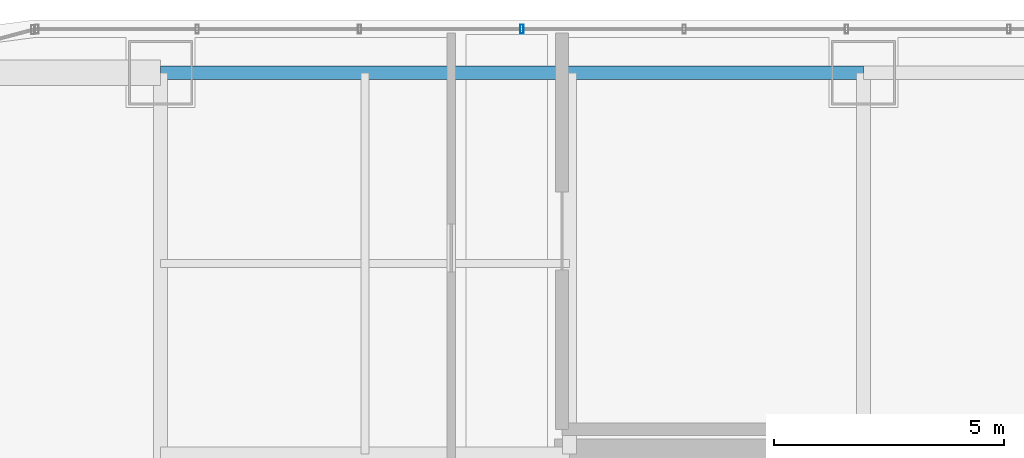
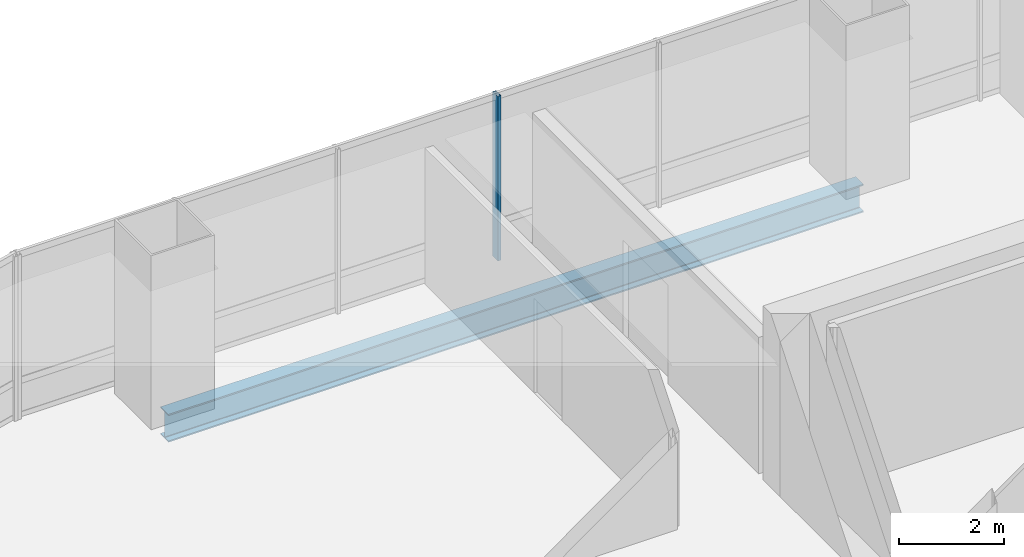
# One storey, part 21 of 36: 1 beam, 1 member, 1 element without a shape of its own.
"""IFC4 building model written with IfcOpenShell, lengths in metres."""

from ifc_helpers import new_model, si_unit, direction, frame, origin, origin_2d, place, context, subcontext, project, spatial, hollow_rectangle, i_section, extrude, material, material_profile, profile_set, type_object, element, aggregate, save


model = new_model("IFC4")

# Units and contexts
model_context = context("Model", 3, precision=1e-05, world=origin(), true_north=direction((0.0, 1.0)))
body_context = subcontext(model_context, "Body", "Model", "MODEL_VIEW")
ifc_project = project(units=[si_unit("LENGTHUNIT", "METRE"), si_unit("AREAUNIT", "SQUARE_METRE"), si_unit("VOLUMEUNIT", "CUBIC_METRE"), si_unit("PLANEANGLEUNIT", "RADIAN"), si_unit("MASSUNIT", "GRAM", prefix="KILO")], contexts=[model_context])

# Site, building, storey
site_placement = place(None, origin())
site = spatial("IfcSite", under=ifc_project, at=site_placement, CompositionType="ELEMENT")
building_placement = place(site_placement, origin())
building = spatial("IfcBuilding", under=site, at=building_placement, Name="Punatoya Terracotta Tower", CompositionType="ELEMENT")
storey_placement = place(building_placement, frame((0.0, 0.0, 176.25)))
storey = spatial("IfcBuildingStorey", under=building, at=storey_placement, Name="L41", CompositionType="ELEMENT", Elevation=176.25)

# Beam
ifc_material_1 = material(Name="Steel S355", Category="steel")
ifc_material_profile_1 = material_profile(ifc_material_1, i_section(OverallWidth=0.300048828125, OverallDepth=0.64990234375, WebThickness=0.01611328125, FlangeThickness=0.031005859375, FilletRadius=0.01806640625, at=origin_2d()))
ifc_profile_set_1 = profile_set([ifc_material_profile_1], Name="Steel S355")
beam_type = type_object("IfcBeamType", Name="BM-PRI-650", PredefinedType="BEAM", material=ifc_profile_set_1)
beam_placement = place(storey_placement, frame((-19.10009765625, 17.5, -0.544921875), z_axis=(1.0, 0.0, 0.0), x_axis=(0.0, 1.0, 0.0)))
element("IfcBeam", 1, at=beam_placement, inside=storey, type_object=beam_type, Name="BM-L41-RG-N1", PredefinedType="BEAM", context=body_context, shape_type="SweptSolid", body=[
    extrude(i_section(OverallWidth=0.300048828125, OverallDepth=0.64990234375, WebThickness=0.01611328125, FlangeThickness=0.031005859375, FilletRadius=0.01806640625, at=origin_2d()), origin(), (0.0, 0.0, 1.0), 15.300048828125),
])

# Curtain wall, member
ifc_material_2 = material(Name="Aluminium 6063-T6 + Double Low-E Glass", Category="aluminium")
curtain_wall_type = type_object("IfcCurtainWallType", Name="CW-M2", PredefinedType="NOTDEFINED", material=ifc_material_2)
curtain_wall_placement = place(storey_placement, origin())
curtain_wall = element("IfcCurtainWall", 2, at=curtain_wall_placement, inside=storey, type_object=curtain_wall_type, Name="L41 Curtain Wall CW-L41-N09-1", PredefinedType="NOTDEFINED")
ifc_material_3 = material(Name="Aluminium 6063-T6", Category="aluminium")
ifc_material_profile_2 = material_profile(ifc_material_3, hollow_rectangle(XDim=0.072021484375, YDim=0.195068359375, WallThickness=0.00439453125, at=origin_2d()))
ifc_profile_set_2 = profile_set([ifc_material_profile_2], Name="Aluminium 6063-T6")
member_type = type_object("IfcMemberType", Name="CW-MUL-M2", PredefinedType="MULLION", material=ifc_profile_set_2)
member_placement = place(storey_placement, frame((-11.235107421875, 18.449951171875, 0.0), z_axis=(0.0, 0.0, 1.0), x_axis=(1.0, 0.0, 0.0)))
member = element("IfcMember", 3, at=member_placement, type_object=member_type, Name="CW-L41-N09-1 Mullion 08", PredefinedType="MULLION", context=body_context, shape_type="SweptSolid", body=[
    extrude(hollow_rectangle(XDim=0.072021484375, YDim=0.195068359375, WallThickness=0.00439453125, at=origin_2d()), origin(), (0.0, 0.0, 1.0), 3.830078125),
])
aggregate(curtain_wall, [member])

save(model, "model.ifc")
